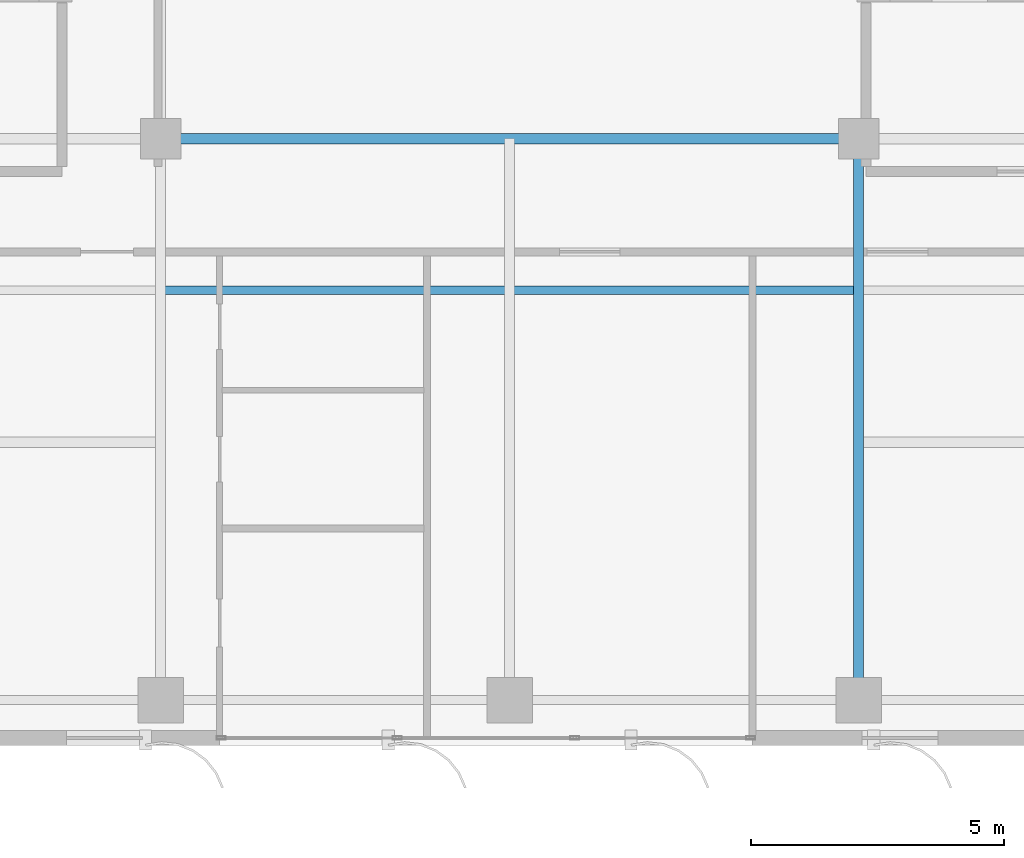
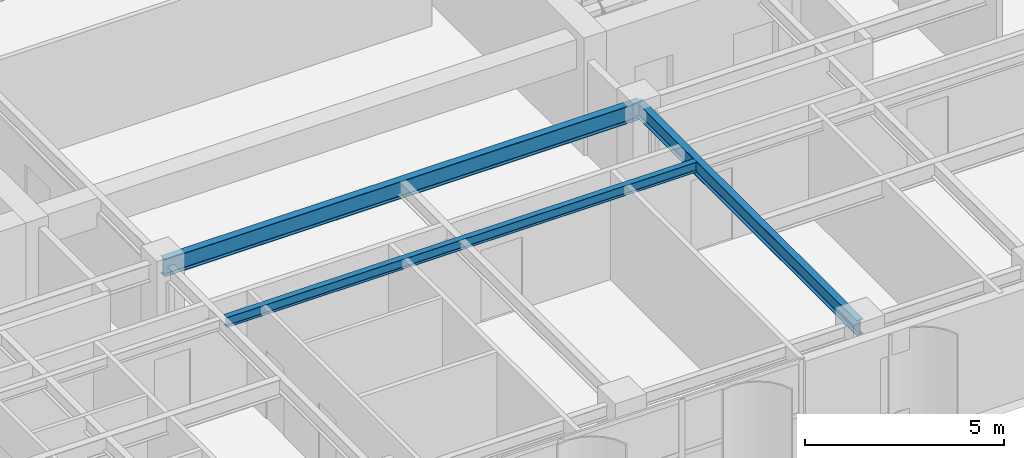
# One storey, part 4 of 22: 3 beams.
"""IFC4 building model written with IfcOpenShell, lengths in metres."""

import ifcopenshell
import ifcopenshell.guid

model = None  # the IFC model being written
_history = None  # IfcOwnerHistory: only IFC2X3 demands one
_inside = {}  # id of a spatial element -> (the spatial element, [elements in it])
_under = {}  # id of a project, library or spatial element -> (it, [spatial elements below it])
_declared = {}  # id of a project -> (the project, [libraries it declares])
_typed = {}  # id of a type object -> (the type object, [elements of that type])
_made_of = {}  # id of a material, layer set ... -> (it, [elements and type objects made of it])


def new_model(schema):
    """Start an empty IFC model of exactly this schema.

    Asked for "IFC4X3", IfcOpenShell would pick the latest addendum, in which some entities
    have other attributes; the version numbers below select the first issue.
    IFC2X3 requires an IfcOwnerHistory on every rooted entity: one is made here for all.
    """
    global model, _history
    if schema == "IFC4X3":
        model = ifcopenshell.file(schema_version=(4, 3, 0, 0))
    else:
        model = ifcopenshell.file(schema=schema)
    _inside.clear()
    _under.clear()
    _declared.clear()
    _typed.clear()
    _made_of.clear()
    _history = None
    if model.schema == "IFC2X3":
        org = make("IfcOrganization", Name="unknown")
        user = make(
            "IfcPersonAndOrganization",
            ThePerson=make("IfcPerson", FamilyName="unknown"),
            TheOrganization=org,
        )
        app = make(
            "IfcApplication",
            ApplicationDeveloper=org,
            Version="unknown",
            ApplicationFullName="unknown",
            ApplicationIdentifier="unknown",
        )
        _history = make(
            "IfcOwnerHistory",
            OwningUser=user,
            OwningApplication=app,
            ChangeAction="ADDED",
            CreationDate=0,
        )
    return model


def make(cls, **values):
    """One entity of the class cls with the attributes given. An attribute that is None is left unset."""
    return model.create_entity(
        cls, **{name: value for name, value in values.items() if value is not None}
    )


def rooted(cls, **values):
    """An entity with a GlobalId (a new one), such as an element, a storey or a relation."""
    return make(cls, GlobalId=ifcopenshell.guid.new(), OwnerHistory=_history, **values)


def si_unit(unit_type, name, prefix=None):
    """IfcSIUnit, for example si_unit("LENGTHUNIT", "METRE", prefix="MILLI")."""
    return make("IfcSIUnit", UnitType=unit_type, Prefix=prefix, Name=name)


def assignment(units):
    """IfcUnitAssignment: the units of a project."""
    return None if units is None else make("IfcUnitAssignment", Units=units)


def point(xyz):
    """IfcCartesianPoint."""
    return None if xyz is None else make("IfcCartesianPoint", Coordinates=xyz)


def direction(xyz):
    """IfcDirection."""
    return None if xyz is None else make("IfcDirection", DirectionRatios=xyz)


def frame(location, z_axis=None, x_axis=None):
    """IfcAxis2Placement3D, a coordinate frame: its origin and axes. An axis left out is left unset."""
    return make(
        "IfcAxis2Placement3D",
        Location=point(location),
        Axis=direction(z_axis),
        RefDirection=direction(x_axis),
    )


def frame_2d(location, x_axis=None):
    """IfcAxis2Placement2D, a coordinate frame in the plane: its origin and x axis."""
    return make(
        "IfcAxis2Placement2D", Location=point(location), RefDirection=direction(x_axis)
    )


def origin():
    """The frame at (0, 0, 0) with its axes left unset."""
    return frame((0.0, 0.0, 0.0))


def origin_2d():
    """The frame at (0, 0) in the plane with its x axis left unset."""
    return frame_2d((0.0, 0.0))


def place(relative_to, where):
    """IfcLocalPlacement: puts the frame where relative to a parent placement (None: the world)."""
    return make(
        "IfcLocalPlacement", PlacementRelTo=relative_to, RelativePlacement=where
    )


def context(
    kind, dimensions, precision=None, world=None, true_north=None, identifier=None
):
    """IfcGeometricRepresentationContext, for example the 3D "Model" context."""
    return make(
        "IfcGeometricRepresentationContext",
        ContextIdentifier=identifier,
        ContextType=kind,
        CoordinateSpaceDimension=dimensions,
        Precision=precision,
        WorldCoordinateSystem=world,
        TrueNorth=true_north,
    )


def subcontext(parent, identifier, kind, view, scale=None):
    """IfcGeometricRepresentationSubContext, for example "Body" below "Model"."""
    return make(
        "IfcGeometricRepresentationSubContext",
        ContextIdentifier=identifier,
        ContextType=kind,
        ParentContext=parent,
        TargetScale=scale,
        TargetView=view,
    )


def project(units=None, contexts=None):
    """IfcProject with its units and contexts."""
    return rooted(
        "IfcProject",
        Name="project",
        RepresentationContexts=contexts,
        UnitsInContext=assignment(units),
    )


def spatial(cls, under=None, at=None, **own):
    """A site, building, storey or space (cls), placed at a placement, below another one or the project."""
    s = rooted(cls, ObjectPlacement=at, **own)
    if under is not None:
        _under.setdefault(under.id(), (under, []))[1].append(s)
    return s


def profile(cls, at=None, kind="AREA", **sizes):
    """A parametric profile (cls). Its sizes go by their IFC names, for example OverallWidth=200.0."""
    return make(cls, ProfileType=kind, Position=at, **sizes)


def i_section(**sizes):
    """IfcIShapeProfileDef."""
    return profile("IfcIShapeProfileDef", **sizes)


def extrude(swept, where, along, depth):
    """IfcExtrudedAreaSolid: the profile swept, set in the frame where, extruded along a direction by depth."""
    return make(
        "IfcExtrudedAreaSolid",
        SweptArea=swept,
        Position=where,
        ExtrudedDirection=direction(along),
        Depth=depth,
    )


def shape(context_of_items, identifier, shape_type, items):
    """IfcShapeRepresentation: the items that make up one representation, for example the "Body"."""
    return make(
        "IfcShapeRepresentation",
        ContextOfItems=context_of_items,
        RepresentationIdentifier=identifier,
        RepresentationType=shape_type,
        Items=items,
    )


def source(mapping_origin, context_of_items, identifier, shape_type, items):
    """IfcRepresentationMap: a shape defined once, which mapped items show again and again."""
    return make(
        "IfcRepresentationMap",
        MappingOrigin=mapping_origin,
        MappedRepresentation=shape(context_of_items, identifier, shape_type, items),
    )


def transform(
    local_origin,
    x_axis=None,
    y_axis=None,
    z_axis=None,
    scale=None,
    scale2=None,
    scale3=None,
    uniform=True,
):
    """IfcCartesianTransformationOperator3D, or its non-uniform kind. x_axis, y_axis, z_axis: its Axis1, 2, 3."""
    if uniform:
        return make(
            "IfcCartesianTransformationOperator3D",
            Axis1=direction(x_axis),
            Axis2=direction(y_axis),
            LocalOrigin=point(local_origin),
            Scale=scale,
            Axis3=direction(z_axis),
        )
    return make(
        "IfcCartesianTransformationOperator3DnonUniform",
        Axis1=direction(x_axis),
        Axis2=direction(y_axis),
        LocalOrigin=point(local_origin),
        Scale=scale,
        Axis3=direction(z_axis),
        Scale2=scale2,
        Scale3=scale3,
    )


def mapped(mapping_source, mapping_target):
    """IfcMappedItem: shows the shape of a source again, moved by a transform."""
    return make(
        "IfcMappedItem", MappingSource=mapping_source, MappingTarget=mapping_target
    )


def material(Name=None, Category=None):
    """IfcMaterial."""
    return make("IfcMaterial", Name=Name, Category=Category)


def material_profile(
    of_material, cross_section, Name=None, Category=None, Priority=None
):
    """IfcMaterialProfile: a cross section and its material."""
    return make(
        "IfcMaterialProfile",
        Name=Name,
        Material=of_material,
        Profile=cross_section,
        Priority=Priority,
        Category=Category,
    )


def profile_set(profiles, Name=None, composite=None):
    """IfcMaterialProfileSet."""
    return make(
        "IfcMaterialProfileSet",
        Name=Name,
        MaterialProfiles=profiles,
        CompositeProfile=composite,
    )


def made_of(thing, what):
    """Note that an element or type object is made of a material, layer set ...; save() writes the relation."""
    if what is not None:
        _made_of.setdefault(what.id(), (what, []))[1].append(thing)
    return thing


def type_object(cls, material=None, **own):
    """A type object (cls), such as IfcWallType, which elements share."""
    return made_of(rooted(cls, **own), material)


def element(
    cls,
    number,
    at=None,
    inside=None,
    cuts=None,
    type_object=None,
    material=None,
    context=None,
    identifier="Body",
    shape_type=None,
    held_by="IfcProductDefinitionShape",
    body=None,
    shapes=None,
    **own,
):
    """One element of the class cls, such as IfcWall. Its Tag is "e" and its number.

    at: its placement. inside: the storey or other place that contains it. cuts: it is an
    opening in that element (IfcRelVoidsElement). A single representation is given by context,
    identifier, shape_type and body (its items); several are given by shapes. held_by: the class
    of the entity that holds the representations. save() writes the other relations.
    """
    e = rooted(cls, Tag="e%d" % number, ObjectPlacement=at, **own)
    if body is not None:
        shapes = [shape(context, identifier, shape_type, body)]
    if shapes is not None:
        e.Representation = make(held_by, Representations=shapes)
    if inside is not None:
        _inside.setdefault(inside.id(), (inside, []))[1].append(e)
    if cuts is not None:
        rooted(
            "IfcRelVoidsElement", RelatingBuildingElement=cuts, RelatedOpeningElement=e
        )
    if type_object is not None:
        _typed.setdefault(type_object.id(), (type_object, []))[1].append(e)
    return made_of(e, material)


def aggregate(whole, parts):
    """IfcRelAggregates: a whole, such as a stair, and the parts it consists of."""
    return rooted("IfcRelAggregates", RelatingObject=whole, RelatedObjects=parts)


def save(model, path):
    """Write the relations noted so far, then the file.

    IfcRelAggregates (storeys below a building ...), IfcRelContainedInSpatialStructure (elements
    in a storey), IfcRelDefinesByType, IfcRelAssociatesMaterial and IfcRelDeclares: one each for
    every whole, place, type object, material and project.
    """
    for whole, parts in _under.values():
        aggregate(whole, parts)
    for where, things in _inside.values():
        rooted(
            "IfcRelContainedInSpatialStructure",
            RelatedElements=things,
            RelatingStructure=where,
        )
    for kind, things in _typed.values():
        rooted("IfcRelDefinesByType", RelatedObjects=things, RelatingType=kind)
    for what, things in _made_of.values():
        rooted("IfcRelAssociatesMaterial", RelatedObjects=things, RelatingMaterial=what)
    for by, libraries in _declared.values():
        rooted("IfcRelDeclares", RelatingContext=by, RelatedDefinitions=libraries)
    model.write(path)


model = new_model("IFC4")

# Units and contexts
model_context = context("Model", 3, precision=1e-05, world=origin(), true_north=direction((0.0, 1.0)))
body_context = subcontext(model_context, "Body", "Model", "MODEL_VIEW")
ifc_project = project(units=[si_unit("LENGTHUNIT", "METRE"), si_unit("AREAUNIT", "SQUARE_METRE"), si_unit("VOLUMEUNIT", "CUBIC_METRE"), si_unit("PLANEANGLEUNIT", "RADIAN"), si_unit("MASSUNIT", "GRAM", prefix="KILO")], contexts=[model_context])

# Site, building, storey
site_placement = place(None, origin())
site = spatial("IfcSite", under=ifc_project, at=site_placement, CompositionType="ELEMENT")
building_placement = place(site_placement, origin())
building = spatial("IfcBuilding", under=site, at=building_placement, Name="Khoralis Quay Care Tower", CompositionType="ELEMENT")
storey_placement = place(building_placement, frame((0.0, 0.0, 170.10009765625)))
storey = spatial("IfcBuildingStorey", under=building, at=storey_placement, Name="L44", CompositionType="ELEMENT", Elevation=170.10009765625)

# Beams
ifc_material = material(Name="Steel S355", Category="steel")
ifc_material_profile_1 = material_profile(ifc_material, i_section(OverallWidth=0.208984375, OverallDepth=0.532958984375, WebThickness=0.01025390625, FlangeThickness=0.015625, FilletRadius=0.01611328125, at=origin_2d()), Name="Steel S355")
ifc_profile_set_1 = profile_set([ifc_material_profile_1], Name="Steel S355")
beam_type_1 = type_object("IfcBeamType", Name="BM-W530X92", PredefinedType="BEAM", material=ifc_profile_set_1)
shared_shape_1 = source(origin(), body_context, "Body", "SweptSolid", [
    extrude(i_section(OverallWidth=0.208984375, OverallDepth=0.532958984375, WebThickness=0.01025390625, FlangeThickness=0.015625, FilletRadius=0.01611328125, at=origin_2d()), origin(), (0.0, 0.0, 1.0), 13.7998046875),
])
beam_1_placement = place(storey_placement, frame((17.10009765625, 12.0, 3.073486328125), z_axis=(1.0, 0.0, 0.0), x_axis=(0.0, 1.0, 0.0)))
element("IfcBeam", 1, at=beam_1_placement, inside=storey, type_object=beam_type_1, Name="BM-TGCC-L44-120", PredefinedType="BEAM", context=body_context, shape_type="MappedRepresentation", body=[
    mapped(shared_shape_1, transform((0.0, 0.0, 0.0), scale=1.0)),
])
ifc_material_profile_2 = material_profile(ifc_material, i_section(OverallWidth=0.19189453125, OverallDepth=0.462890625, WebThickness=0.010498046875, FlangeThickness=0.017578125, FilletRadius=0.014892578125, at=origin_2d()), Name="Steel S355")
ifc_profile_set_2 = profile_set([ifc_material_profile_2], Name="Steel S355")
beam_type_2 = type_object("IfcBeamType", Name="BM-W460X89", PredefinedType="BEAM", material=ifc_profile_set_2)
shared_shape_2 = source(origin(), body_context, "Body", "SweptSolid", [
    extrude(i_section(OverallWidth=0.19189453125, OverallDepth=0.462890625, WebThickness=0.010498046875, FlangeThickness=0.017578125, FilletRadius=0.014892578125, at=origin_2d()), origin(), (0.0, 0.0, 1.0), 11.10009765625),
])
beam_2_placement = place(storey_placement, frame((30.89990234375, 0.89990234375, 3.1083984375), z_axis=(0.0, 1.0, 0.0), x_axis=(-1.0, 0.0, 0.0)))
element("IfcBeam", 2, at=beam_2_placement, inside=storey, type_object=beam_type_2, Name="BM-TGYS-L44-309", PredefinedType="BEAM", context=body_context, shape_type="MappedRepresentation", body=[
    mapped(shared_shape_2, transform((0.0, 0.0, 0.0), scale=1.0)),
])
ifc_material_profile_3 = material_profile(ifc_material, i_section(OverallWidth=0.1650390625, OverallDepth=0.31005859375, WebThickness=0.005859375, FlangeThickness=0.009765625, FilletRadius=0.011962890625, at=origin_2d()), Name="Steel S355")
ifc_profile_set_3 = profile_set([ifc_material_profile_3], Name="Steel S355")
beam_type_3 = type_object("IfcBeamType", Name="BM-W310X39", PredefinedType="JOIST", material=ifc_profile_set_3)
shared_shape_3 = source(origin(), body_context, "Body", "SweptSolid", [
    extrude(i_section(OverallWidth=0.1650390625, OverallDepth=0.31005859375, WebThickness=0.005859375, FlangeThickness=0.009765625, FilletRadius=0.011962890625, at=origin_2d()), origin(), (0.0, 0.0, 1.0), 13.6318359375),
])
beam_3_placement = place(storey_placement, frame((17.18408203125, 9.0, 3.184814453125), z_axis=(1.0, 0.0, 0.0), x_axis=(0.0, 1.0, 0.0)))
element("IfcBeam", 3, at=beam_3_placement, inside=storey, type_object=beam_type_3, Name="BM-TJS-L44-25", PredefinedType="JOIST", context=body_context, shape_type="MappedRepresentation", body=[
    mapped(shared_shape_3, transform((0.0, 0.0, 0.0), scale=1.0)),
])

save(model, "model.ifc")
